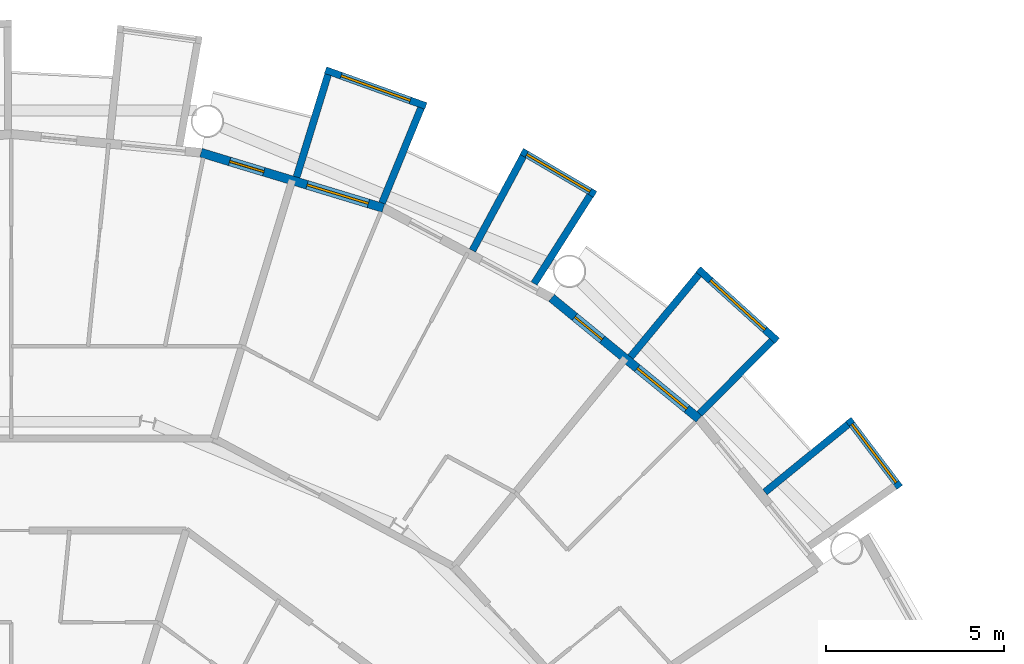
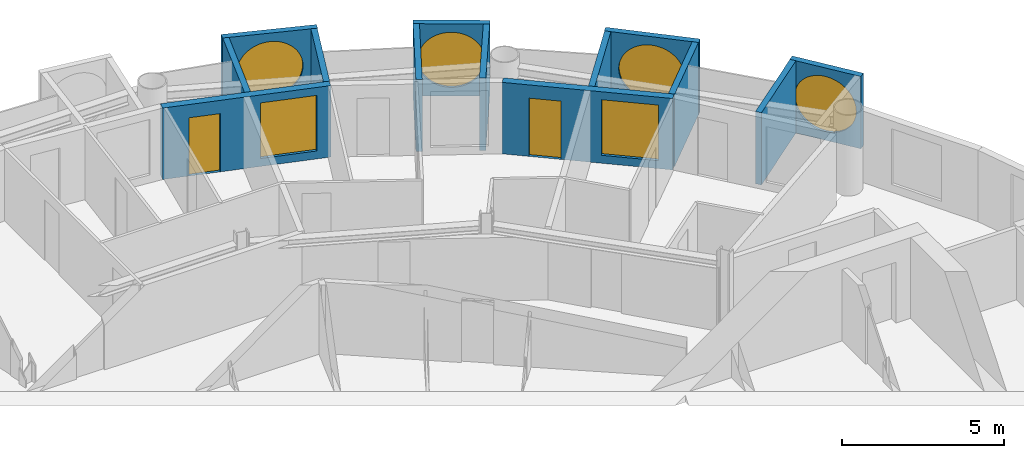
# One storey, part 23 of 27: 13 walls, 6 windows, 2 doors, 8 openings.
"""IFC4 building model written with IfcOpenShell, lengths in metres."""

from ifc_helpers import new_model, si_unit, direction, frame, frame_2d, origin, place, context, subcontext, project, spatial, rectangle, circle, extrude, material, layer, layer_set, type_object, element, fill, save


model = new_model("IFC4")

# Units and contexts
model_context = context("Model", 3, precision=1e-05, world=origin(), true_north=direction((0.0, 1.0)))
body_context = subcontext(model_context, "Body", "Model", "MODEL_VIEW")
ifc_project = project(units=[si_unit("LENGTHUNIT", "METRE"), si_unit("AREAUNIT", "SQUARE_METRE"), si_unit("VOLUMEUNIT", "CUBIC_METRE"), si_unit("PLANEANGLEUNIT", "RADIAN"), si_unit("MASSUNIT", "GRAM", prefix="KILO")], contexts=[model_context])

# Site, building, storey
site_placement = place(None, origin())
site = spatial("IfcSite", under=ifc_project, at=site_placement, CompositionType="ELEMENT")
building_placement = place(site_placement, origin())
building = spatial("IfcBuilding", under=site, at=building_placement, Name="Maasbend Ring Residences", CompositionType="ELEMENT")
storey_placement = place(building_placement, frame((0.0, 0.0, 117.75)))
storey = spatial("IfcBuildingStorey", under=building, at=storey_placement, Name="L33", CompositionType="ELEMENT", Elevation=117.75)

# Wall, opening, window
ifc_material_1 = material(Name="Pale anodised aluminium panel", Category="aluminium")
ifc_layer_1 = layer(ifc_material_1, 0.199951171875)
ifc_layer_set_1 = layer_set([ifc_layer_1], Name="EW-BOX")
wall_type_1 = type_object("IfcWallType", Name="EW-BOX", PredefinedType="SOLIDWALL", material=ifc_layer_set_1)
wall_1_placement = place(storey_placement, frame((24.93994140625, 17.382080078125, -0.030029296875), z_axis=(0.0, 0.0, 1.0), x_axis=(-0.603375996329, 0.797456837111, 0.0)))
wall_1 = element("IfcWall", 1, at=wall_1_placement, inside=storey, type_object=wall_type_1, Name="Box front N01", PredefinedType="SOLIDWALL", context=body_context, shape_type="SweptSolid", body=[
    extrude(rectangle(XDim=2.391357421875, YDim=0.199951171875, at=frame_2d((1.19580078125, 0.0))), origin(), (0.0, 0.0, 1.0), 2.72998046875),
])
opening_1_placement = place(wall_1_placement, frame((0.15576171875, 0.0, 0.330078125)))
opening_1 = element("IfcOpeningElement", 2, at=opening_1_placement, cuts=wall_1, Name="Opening W-RD", PredefinedType="OPENING", context=body_context, shape_type="SweptSolid", body=[
    extrude(circle(Radius=1.0400390625, at=frame_2d((1.0400390625, 1.0400390625))), frame((0.0, 0.10986328125, 0.0), z_axis=(0.0, -1.0, 0.0), x_axis=(1.0, 0.0, 0.0)), (0.0, 0.0, 1.0), 0.219970703125),
])
ifc_material_2 = material(Name="Aluminium and clear glass", Category="aluminium")
window_type_1 = type_object("IfcWindowType", Name="W-RD", PartitioningType="SINGLE_PANEL", PredefinedType="WINDOW", material=ifc_material_2)
window_1_placement = place(opening_1_placement, origin())
window_1 = element("IfcWindow", 3, at=window_1_placement, inside=storey, type_object=window_type_1, Name="Round window N01", OverallHeight=2.080078125, OverallWidth=2.080078125, PartitioningType="SINGLE_PANEL", PredefinedType="WINDOW", context=body_context, shape_type="SweptSolid", body=[
    extrude(circle(Radius=1.0400390625, at=frame_2d((1.0400390625, 1.0400390625))), frame((0.0, 0.030029296875, 0.0), z_axis=(0.0, -1.0, 0.0), x_axis=(1.0, 0.0, 0.0)), (0.0, 0.0, 1.0), 0.06005859375),
])
fill(opening_1, window_1)

# Wall
wall_2_placement = place(storey_placement, frame((21.155029296875, 17.24609375, -0.030029296875), z_axis=(0.0, 0.0, 1.0), x_axis=(0.775179004516, 0.631741648902, 0.0)))
element("IfcWall", 4, at=wall_2_placement, inside=storey, type_object=wall_type_1, Name="Box side wall N01 right", PredefinedType="SOLIDWALL", context=body_context, shape_type="SweptSolid", body=[
    extrude(rectangle(XDim=3.005859375, YDim=0.199951171875, at=frame_2d((1.5029296875, 0.0))), origin(), (0.0, 0.0, 1.0), 2.72998046875),
])

# Wall, opening, window
wall_3_placement = place(storey_placement, frame((21.5, 21.492919921875, -0.030029296875), z_axis=(0.0, 0.0, 1.0), x_axis=(-0.740998365753, 0.671506829416, 0.0)))
wall_3 = element("IfcWall", 5, at=wall_3_placement, inside=storey, type_object=wall_type_1, Name="Box front N03", PredefinedType="SOLIDWALL", context=body_context, shape_type="SweptSolid", body=[
    extrude(rectangle(XDim=2.9931640625, YDim=0.199951171875, at=frame_2d((1.49658203125, 0.0))), origin(), (0.0, 0.0, 1.0), 2.72998046875),
])
opening_2_placement = place(wall_3_placement, frame((0.45654296875, 0.0, 0.330078125)))
opening_2 = element("IfcOpeningElement", 6, at=opening_2_placement, cuts=wall_3, Name="Opening W-RD", PredefinedType="OPENING", context=body_context, shape_type="SweptSolid", body=[
    extrude(circle(Radius=1.0400390625, at=frame_2d((1.0400390625, 1.0400390625))), frame((0.0, 0.10986328125, 0.0), z_axis=(0.0, -1.0, 0.0), x_axis=(1.0, 0.0, 0.0)), (0.0, 0.0, 1.0), 0.219970703125),
])
window_2_placement = place(opening_2_placement, origin())
window_2 = element("IfcWindow", 7, at=window_2_placement, inside=storey, type_object=window_type_1, Name="Round window N03", OverallHeight=2.080078125, OverallWidth=2.080078125, PartitioningType="SINGLE_PANEL", PredefinedType="WINDOW", context=body_context, shape_type="SweptSolid", body=[
    extrude(circle(Radius=1.0400390625, at=frame_2d((1.0400390625, 1.0400390625))), frame((0.0, 0.030029296875, 0.0), z_axis=(0.0, -1.0, 0.0), x_axis=(1.0, 0.0, 0.0)), (0.0, 0.0, 1.0), 0.06005859375),
])
fill(opening_2, window_2)

# Walls
wall_4_placement = place(storey_placement, frame((19.322998046875, 19.449951171875, -0.030029296875), z_axis=(0.0, 0.0, 1.0), x_axis=(0.704476739375, 0.709727076896, 0.0)))
element("IfcWall", 8, at=wall_4_placement, inside=storey, type_object=wall_type_1, Name="Box side wall N03 left", PredefinedType="SOLIDWALL", context=body_context, shape_type="SweptSolid", body=[
    extrude(rectangle(XDim=2.883056640625, YDim=0.199951171875, at=frame_2d((1.44140625, 0.0))), origin(), (0.0, 0.0, 1.0), 2.72998046875),
])
wall_5_placement = place(storey_placement, frame((17.384033203125, 21.041015625, -0.030029296875), z_axis=(0.0, 0.0, 1.0), x_axis=(0.63709551667, 0.770784861449, 0.0)))
element("IfcWall", 9, at=wall_5_placement, inside=storey, type_object=wall_type_1, Name="Box side wall N03 right", PredefinedType="SOLIDWALL", context=body_context, shape_type="SweptSolid", body=[
    extrude(rectangle(XDim=3.005859375, YDim=0.199951171875, at=frame_2d((1.5029296875, 0.0))), origin(), (0.0, 0.0, 1.0), 2.72998046875),
])

# Wall, opening, window
wall_6_placement = place(storey_placement, frame((16.389892578125, 25.60302734375, -0.030029296875), z_axis=(0.0, 0.0, 1.0), x_axis=(-0.862762477128, 0.505609442218, 0.0)))
wall_6 = element("IfcWall", 10, at=wall_6_placement, inside=storey, type_object=wall_type_1, Name="Box front N05", PredefinedType="SOLIDWALL", context=body_context, shape_type="SweptSolid", body=[
    extrude(rectangle(XDim=2.39111328125, YDim=0.199951171875, at=frame_2d((1.195556640625, 0.0))), origin(), (0.0, 0.0, 1.0), 2.72998046875),
])
opening_3_placement = place(wall_6_placement, frame((0.15576171875, 0.0, 0.330078125)))
opening_3 = element("IfcOpeningElement", 11, at=opening_3_placement, cuts=wall_6, Name="Opening W-RD", PredefinedType="OPENING", context=body_context, shape_type="SweptSolid", body=[
    extrude(circle(Radius=1.0400390625, at=frame_2d((1.0400390625, 1.0400390625))), frame((0.0, 0.10986328125, 0.0), z_axis=(0.0, -1.0, 0.0), x_axis=(1.0, 0.0, 0.0)), (0.0, 0.0, 1.0), 0.219970703125),
])
window_3_placement = place(opening_3_placement, origin())
window_3 = element("IfcWindow", 12, at=window_3_placement, inside=storey, type_object=window_type_1, Name="Round window N05", OverallHeight=2.080078125, OverallWidth=2.080078125, PartitioningType="SINGLE_PANEL", PredefinedType="WINDOW", context=body_context, shape_type="SweptSolid", body=[
    extrude(circle(Radius=1.0400390625, at=frame_2d((1.0400390625, 1.0400390625))), frame((0.0, 0.030029296875, 0.0), z_axis=(0.0, -1.0, 0.0), x_axis=(1.0, 0.0, 0.0)), (0.0, 0.0, 1.0), 0.06005859375),
])
fill(opening_3, window_3)

# Walls
wall_7_placement = place(storey_placement, frame((14.677978515625, 23.10205078125, -0.030029296875), z_axis=(0.0, 0.0, 1.0), x_axis=(0.536001536573, 0.844217005746, 0.0)))
element("IfcWall", 13, at=wall_7_placement, inside=storey, type_object=wall_type_1, Name="Box side wall N05 left", PredefinedType="SOLIDWALL", context=body_context, shape_type="SweptSolid", body=[
    extrude(rectangle(XDim=2.92919921875, YDim=0.199951171875, at=frame_2d((1.464599609375, 0.0))), origin(), (0.0, 0.0, 1.0), 2.72998046875),
])
wall_8_placement = place(storey_placement, frame((12.945068359375, 24.029052734375, -0.030029296875), z_axis=(0.0, 0.0, 1.0), x_axis=(0.474424310775, 0.88029629861, 0.0)))
element("IfcWall", 14, at=wall_8_placement, inside=storey, type_object=wall_type_1, Name="Box side wall N05 right", PredefinedType="SOLIDWALL", context=body_context, shape_type="SweptSolid", body=[
    extrude(rectangle(XDim=3.005859375, YDim=0.199951171875, at=frame_2d((1.5029296875, 0.0))), origin(), (0.0, 0.0, 1.0), 2.72998046875),
])

# Wall, opening, window
wall_9_placement = place(storey_placement, frame((11.637939453125, 28.083984375, -0.030029296875), z_axis=(0.0, 0.0, 1.0), x_axis=(-0.941461077774, 0.337121697664, 0.0)))
wall_9 = element("IfcWall", 15, at=wall_9_placement, inside=storey, type_object=wall_type_1, Name="Box front N07", PredefinedType="SOLIDWALL", context=body_context, shape_type="SweptSolid", body=[
    extrude(rectangle(XDim=2.9931640625, YDim=0.199951171875, at=frame_2d((1.49658203125, 0.0))), origin(), (0.0, 0.0, 1.0), 2.72998046875),
])
opening_4_placement = place(wall_9_placement, frame((0.45654296875, 0.0, 0.330078125)))
opening_4 = element("IfcOpeningElement", 16, at=opening_4_placement, cuts=wall_9, Name="Opening W-RD", PredefinedType="OPENING", context=body_context, shape_type="SweptSolid", body=[
    extrude(circle(Radius=1.0400390625, at=frame_2d((1.0400390625, 1.0400390625))), frame((0.0, 0.10986328125, 0.0), z_axis=(0.0, -1.0, 0.0), x_axis=(1.0, 0.0, 0.0)), (0.0, 0.0, 1.0), 0.219970703125),
])
window_4_placement = place(opening_4_placement, origin())
window_4 = element("IfcWindow", 17, at=window_4_placement, inside=storey, type_object=window_type_1, Name="Round window N07", OverallHeight=2.080078125, OverallWidth=2.080078125, PartitioningType="SINGLE_PANEL", PredefinedType="WINDOW", context=body_context, shape_type="SweptSolid", body=[
    extrude(circle(Radius=1.0400390625, at=frame_2d((1.0400390625, 1.0400390625))), frame((0.0, 0.030029296875, 0.0), z_axis=(0.0, -1.0, 0.0), x_axis=(1.0, 0.0, 0.0)), (0.0, 0.0, 1.0), 0.06005859375),
])
fill(opening_4, window_4)

# Walls
wall_10_placement = place(storey_placement, frame((10.408935546875, 25.364013671875, -0.030029296875), z_axis=(0.0, 0.0, 1.0), x_axis=(0.379509886562, 0.925187681501, 0.0)))
element("IfcWall", 18, at=wall_10_placement, inside=storey, type_object=wall_type_1, Name="Box side wall N07 left", PredefinedType="SOLIDWALL", context=body_context, shape_type="SweptSolid", body=[
    extrude(rectangle(XDim=2.882568359375, YDim=0.199951171875, at=frame_2d((1.44140625, 0.0))), origin(), (0.0, 0.0, 1.0), 2.72998046875),
])
wall_11_placement = place(storey_placement, frame((8.009033203125, 26.092041015625, -0.030029296875), z_axis=(0.0, 0.0, 1.0), x_axis=(0.293406695073, 0.955987715029, 0.0)))
element("IfcWall", 19, at=wall_11_placement, inside=storey, type_object=wall_type_1, Name="Box side wall N07 right", PredefinedType="SOLIDWALL", context=body_context, shape_type="SweptSolid", body=[
    extrude(rectangle(XDim=3.00634765625, YDim=0.199951171875, at=frame_2d((1.503173828125, 0.0))), origin(), (0.0, 0.0, 1.0), 2.72998046875),
])

# Wall, openings, door, window
ifc_material_3 = material(Name="Aluminium clad insulated panel", Category="aluminium")
ifc_layer_2 = layer(ifc_material_3, 0.25)
ifc_layer_set_2 = layer_set([ifc_layer_2], Name="EW-GL")
wall_type_2 = type_object("IfcWallType", Name="EW-GL", PredefinedType="SOLIDWALL", material=ifc_layer_set_2)
wall_12_placement = place(storey_placement, frame((19.303955078125, 19.303955078125, 0.0), z_axis=(0.0, 0.0, 1.0), x_axis=(-0.773019449054, 0.634382322723, 0.0)))
wall_12 = element("IfcWall", 20, at=wall_12_placement, inside=storey, type_object=wall_type_2, Name="External wall N02", PredefinedType="SOLIDWALL", context=body_context, shape_type="SweptSolid", body=[
    extrude(rectangle(XDim=5.351806640625, YDim=0.25, at=frame_2d((2.67578125, 0.0))), origin(), (0.0, 0.0, 1.0), 2.699951171875),
])
opening_5_placement = place(wall_12_placement, frame((0.441162109375, 0.0, 0.300048828125)))
opening_5 = element("IfcOpeningElement", 21, at=opening_5_placement, cuts=wall_12, Name="Opening W-BX", PredefinedType="OPENING", context=body_context, shape_type="SweptSolid", body=[
    extrude(rectangle(XDim=1.800048828125, YDim=2.10009765625, at=frame_2d((0.89990234375, 1.050048828125))), frame((0.0, 0.135009765625, 0.0), z_axis=(0.0, -1.0, 0.0), x_axis=(1.0, 0.0, 0.0)), (0.0, 0.0, 1.0), 0.27001953125),
])
opening_6_placement = place(wall_12_placement, frame((3.510498046875, 0.0, 0.0)))
opening_6 = element("IfcOpeningElement", 22, at=opening_6_placement, cuts=wall_12, Name="Opening D-LG", PredefinedType="OPENING", context=body_context, shape_type="SweptSolid", body=[
    extrude(rectangle(XDim=1.0, YDim=2.199951171875, at=frame_2d((0.5, 1.10009765625))), frame((0.0, 0.135009765625, 0.0), z_axis=(0.0, -1.0, 0.0), x_axis=(1.0, 0.0, 0.0)), (0.0, 0.0, 1.0), 0.27001953125),
])
ifc_material_4 = material(Name="Aluminium and clear glass", Category="aluminium")
door_type = type_object("IfcDoorType", Name="D-LG", OperationType="SINGLE_SWING_LEFT", PredefinedType="DOOR", material=ifc_material_4)
door_1_placement = place(opening_6_placement, origin())
door_1 = element("IfcDoor", 23, at=door_1_placement, inside=storey, type_object=door_type, Name="Loggia door N04", OperationType="SINGLE_SWING_LEFT", OverallHeight=2.199951171875, OverallWidth=1.0, PredefinedType="DOOR", context=body_context, shape_type="SweptSolid", body=[
    extrude(rectangle(XDim=1.0, YDim=2.199951171875, at=frame_2d((0.5, 1.10009765625))), frame((0.0, 0.02490234375, 0.0), z_axis=(0.0, -1.0, 0.0), x_axis=(1.0, 0.0, 0.0)), (0.0, 0.0, 1.0), 0.050048828125),
])
fill(opening_6, door_1)
ifc_material_5 = material(Name="Aluminium and clear glass", Category="aluminium")
window_type_2 = type_object("IfcWindowType", Name="W-BX", PartitioningType="DOUBLE_PANEL_VERTICAL", PredefinedType="WINDOW", material=ifc_material_5)
window_5_placement = place(opening_5_placement, origin())
window_5 = element("IfcWindow", 24, at=window_5_placement, inside=storey, type_object=window_type_2, Name="Window N03 room to box", OverallHeight=2.10009765625, OverallWidth=1.800048828125, PartitioningType="SINGLE_PANEL", PredefinedType="WINDOW", context=body_context, shape_type="SweptSolid", body=[
    extrude(rectangle(XDim=1.800048828125, YDim=2.10009765625, at=frame_2d((0.89990234375, 1.050048828125))), frame((0.0, 0.030029296875, 0.0), z_axis=(0.0, -1.0, 0.0), x_axis=(1.0, 0.0, 0.0)), (0.0, 0.0, 1.0), 0.06005859375),
])
fill(opening_5, window_5)

wall_13_placement = place(storey_placement, frame((10.447021484375, 25.221923828125, 0.0), z_axis=(0.0, 0.0, 1.0), x_axis=(-0.956965678721, 0.290201119486, 0.0)))
wall_13 = element("IfcWall", 25, at=wall_13_placement, inside=storey, type_object=wall_type_2, Name="External wall N04", PredefinedType="SOLIDWALL", context=body_context, shape_type="SweptSolid", body=[
    extrude(rectangle(XDim=5.351318359375, YDim=0.25, at=frame_2d((2.67578125, 0.0))), origin(), (0.0, 0.0, 1.0), 2.699951171875),
])
opening_7_placement = place(wall_13_placement, frame((0.441162109375, 0.0, 0.300048828125)))
opening_7 = element("IfcOpeningElement", 26, at=opening_7_placement, cuts=wall_13, Name="Opening W-BX", PredefinedType="OPENING", context=body_context, shape_type="SweptSolid", body=[
    extrude(rectangle(XDim=1.800048828125, YDim=2.10009765625, at=frame_2d((0.89990234375, 1.050048828125))), frame((0.0, 0.135009765625, 0.0), z_axis=(0.0, -1.0, 0.0), x_axis=(1.0, 0.0, 0.0)), (0.0, 0.0, 1.0), 0.27001953125),
])
opening_8_placement = place(wall_13_placement, frame((3.510498046875, 0.0, 0.0)))
opening_8 = element("IfcOpeningElement", 27, at=opening_8_placement, cuts=wall_13, Name="Opening D-LG", PredefinedType="OPENING", context=body_context, shape_type="SweptSolid", body=[
    extrude(rectangle(XDim=1.0, YDim=2.199951171875, at=frame_2d((0.5, 1.10009765625))), frame((0.0, 0.135009765625, 0.0), z_axis=(0.0, -1.0, 0.0), x_axis=(1.0, 0.0, 0.0)), (0.0, 0.0, 1.0), 0.27001953125),
])
door_2_placement = place(opening_8_placement, origin())
door_2 = element("IfcDoor", 28, at=door_2_placement, inside=storey, type_object=door_type, Name="Loggia door N08", OperationType="SINGLE_SWING_LEFT", OverallHeight=2.199951171875, OverallWidth=1.0, PredefinedType="DOOR", context=body_context, shape_type="SweptSolid", body=[
    extrude(rectangle(XDim=1.0, YDim=2.199951171875, at=frame_2d((0.5, 1.10009765625))), frame((0.0, 0.02490234375, 0.0), z_axis=(0.0, -1.0, 0.0), x_axis=(1.0, 0.0, 0.0)), (0.0, 0.0, 1.0), 0.050048828125),
])
fill(opening_8, door_2)
window_6_placement = place(opening_7_placement, origin())
window_6 = element("IfcWindow", 29, at=window_6_placement, inside=storey, type_object=window_type_2, Name="Window N07 room to box", OverallHeight=2.10009765625, OverallWidth=1.800048828125, PartitioningType="SINGLE_PANEL", PredefinedType="WINDOW", context=body_context, shape_type="SweptSolid", body=[
    extrude(rectangle(XDim=1.800048828125, YDim=2.10009765625, at=frame_2d((0.89990234375, 1.050048828125))), frame((0.0, 0.030029296875, 0.0), z_axis=(0.0, -1.0, 0.0), x_axis=(1.0, 0.0, 0.0)), (0.0, 0.0, 1.0), 0.06005859375),
])
fill(opening_7, window_6)

save(model, "model.ifc")
